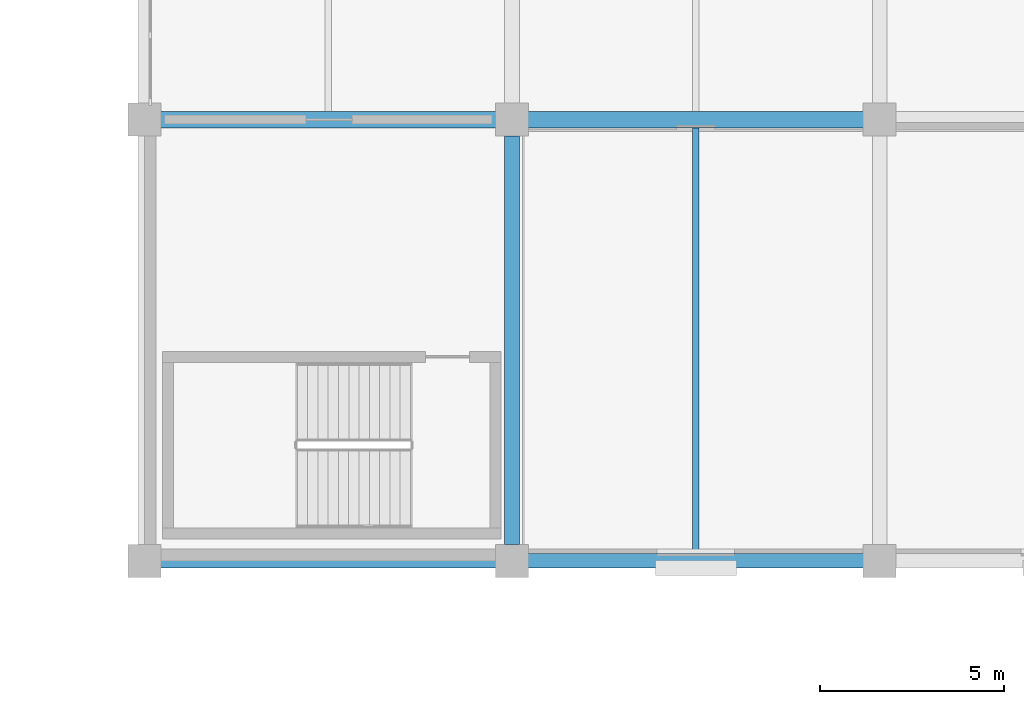
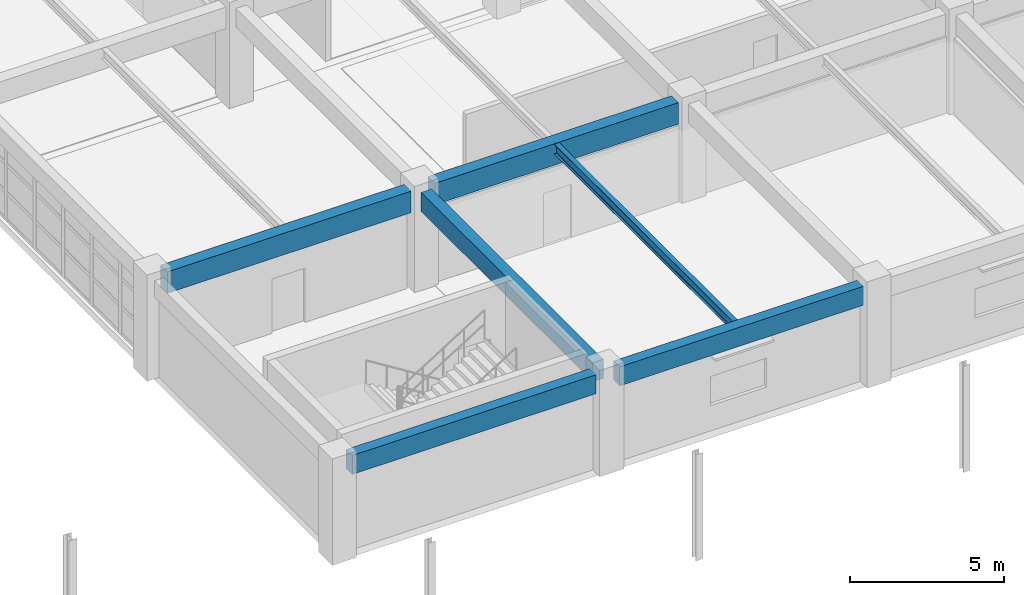
# One storey, part 31 of 100: 6 beams.
"""IFC4 building model written with IfcOpenShell, lengths in metres."""

from ifc_helpers import new_model, si_unit, direction, frame, origin, origin_2d, place, context, subcontext, project, spatial, rectangle, i_section, extrude, material, material_profile, profile_set, type_object, element, save


model = new_model("IFC4")

# Units and contexts
model_context = context("Model", 3, precision=1e-05, world=origin(), true_north=direction((0.0, 1.0)))
body_context = subcontext(model_context, "Body", "Model", "MODEL_VIEW")
ifc_project = project(units=[si_unit("LENGTHUNIT", "METRE"), si_unit("AREAUNIT", "SQUARE_METRE"), si_unit("VOLUMEUNIT", "CUBIC_METRE"), si_unit("PLANEANGLEUNIT", "RADIAN"), si_unit("MASSUNIT", "GRAM", prefix="KILO")], contexts=[model_context])

# Site, building, storey
site_placement = place(None, origin())
site = spatial("IfcSite", under=ifc_project, at=site_placement, CompositionType="ELEMENT")
building_placement = place(site_placement, origin())
building = spatial("IfcBuilding", under=site, at=building_placement, Name="Kivolera Central Railway Station", CompositionType="ELEMENT")
storey_placement = place(building_placement, frame((0.0, 0.0, 5.39990234375)))
storey = spatial("IfcBuildingStorey", under=building, at=storey_placement, Name="L01", CompositionType="ELEMENT", Elevation=5.39990234375)

# Beams
ifc_material_1 = material(Name="Steel S355", Category="steel")
ifc_material_profile_1 = material_profile(ifc_material_1, i_section(OverallWidth=0.179931640625, OverallDepth=0.39990234375, WebThickness=0.008544921875, FlangeThickness=0.013427734375, FilletRadius=0.02099609375, at=origin_2d()), Name="IPE 400")
ifc_profile_set_1 = profile_set([ifc_material_profile_1], Name="Steel S355")
beam_type_1 = type_object("IfcBeamType", Name="BM-JST-IPE400", PredefinedType="JOIST", material=ifc_profile_set_1)
beam_1_placement = place(storey_placement, frame((133.0, 54.19189453125, 3.668212890625), z_axis=(0.0, 1.0, 0.0), x_axis=(-1.0, 0.0, 0.0)))
element("IfcBeam", 1, at=beam_1_placement, inside=storey, type_object=beam_type_1, Name="L01 Floor Joist 13-14/E-F", PredefinedType="JOIST", context=body_context, shape_type="SweptSolid", body=[
    extrude(i_section(OverallWidth=0.179931640625, OverallDepth=0.39990234375, WebThickness=0.008544921875, FlangeThickness=0.013427734375, FilletRadius=0.02099609375, at=origin_2d()), origin(), (0.0, 0.0, 1.0), 11.591064453125),
])
ifc_material_2 = material(Name="Concrete C40/50", Category="concrete")
ifc_material_profile_2 = material_profile(ifc_material_2, rectangle(XDim=0.39990234375, YDim=0.75, at=origin_2d()), Name="RC 400x750")
ifc_profile_set_2 = profile_set([ifc_material_profile_2], Name="Concrete C40/50")
beam_type_2 = type_object("IfcBeamType", Name="BM-RC-400x750", PredefinedType="BEAM", material=ifc_profile_set_2)
beam_2_placement = place(storey_placement, frame((128.0, 54.44189453125, 3.505126953125), z_axis=(0.0, 1.0, 0.0), x_axis=(-1.0, 0.0, 0.0)))
element("IfcBeam", 2, at=beam_2_placement, inside=storey, type_object=beam_type_2, Name="L01 Wing Y-Beam 13:E-F", PredefinedType="BEAM", context=body_context, shape_type="SweptSolid", body=[
    extrude(rectangle(XDim=0.39990234375, YDim=0.75, at=origin_2d()), origin(), (0.0, 0.0, 1.0), 11.1162109375),
])
ifc_material_profile_3 = material_profile(ifc_material_2, rectangle(XDim=0.449951171875, YDim=0.85009765625, at=origin_2d()), Name="RC 450x850")
ifc_profile_set_3 = profile_set([ifc_material_profile_3], Name="Concrete C40/50")
beam_type_3 = type_object("IfcBeamType", Name="BM-RC-450x850", PredefinedType="BEAM", material=ifc_profile_set_3)
for number, where, z_axis, x_axis, name in (
    (3, (118.44189453125, 66.0, 3.455078125), (1.0, 0.0, 0.0), (0.0, 1.0, 0.0), "L01 Wing X-Beam F:12-13"),
    (4, (128.44189453125, 66.0, 3.455078125), (1.0, 0.0, 0.0), (0.0, 1.0, 0.0), "L01 Wing X-Beam F:13-14"),
):
    element("IfcBeam", number, at=place(storey_placement, frame(where, z_axis=z_axis, x_axis=x_axis)), inside=storey, type_object=beam_type_3, Name=name, PredefinedType="BEAM", context=body_context, shape_type="SweptSolid", body=[
        extrude(rectangle(XDim=0.449951171875, YDim=0.85009765625, at=origin_2d()), origin(), (0.0, 0.0, 1.0), 9.1162109375),
    ])
ifc_material_profile_4 = material_profile(ifc_material_2, rectangle(XDim=0.39990234375, YDim=0.75, at=origin_2d()), Name="RC 400x750")
ifc_profile_set_4 = profile_set([ifc_material_profile_4], Name="Concrete C40/50")
beam_type_4 = type_object("IfcBeamType", Name="BM-SPN-RC750", PredefinedType="SPANDREL", material=ifc_profile_set_4)
for number, where, z_axis, x_axis, name in (
    (5, (118.44189453125, 54.0, 3.505126953125), (1.0, 0.0, 0.0), (0.0, 1.0, 0.0), "L01 Wing X-Beam E:12-13"),
    (6, (128.44189453125, 54.0, 3.505126953125), (1.0, 0.0, 0.0), (0.0, 1.0, 0.0), "L01 Wing X-Beam E:13-14"),
):
    element("IfcBeam", number, at=place(storey_placement, frame(where, z_axis=z_axis, x_axis=x_axis)), inside=storey, type_object=beam_type_4, Name=name, PredefinedType="SPANDREL", context=body_context, shape_type="SweptSolid", body=[
        extrude(rectangle(XDim=0.39990234375, YDim=0.75, at=origin_2d()), origin(), (0.0, 0.0, 1.0), 9.1162109375),
    ])

save(model, "model.ifc")
